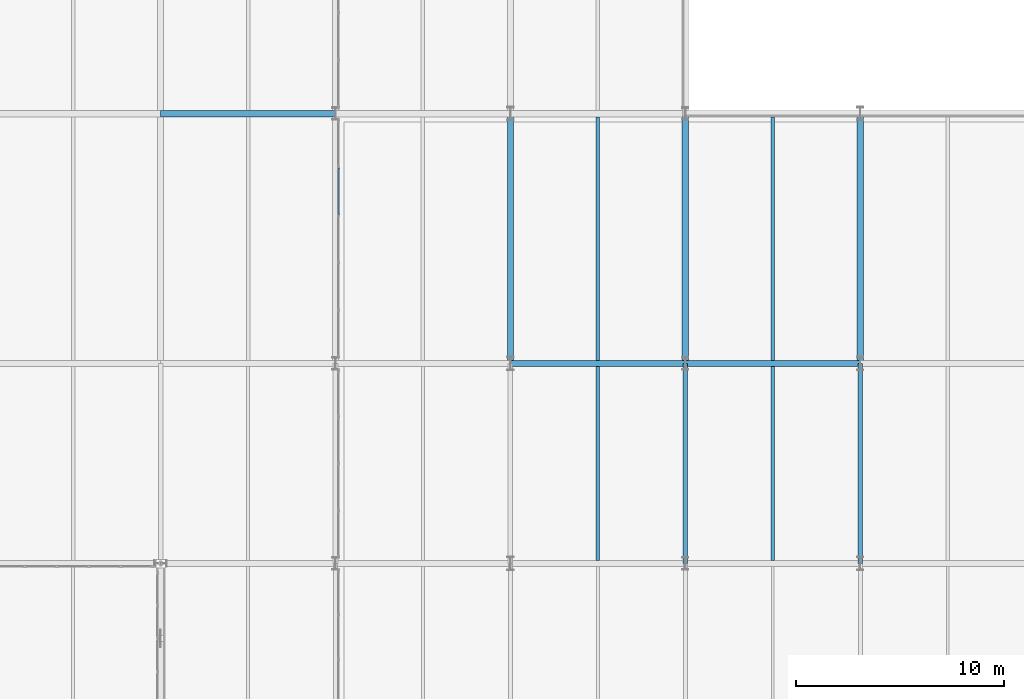
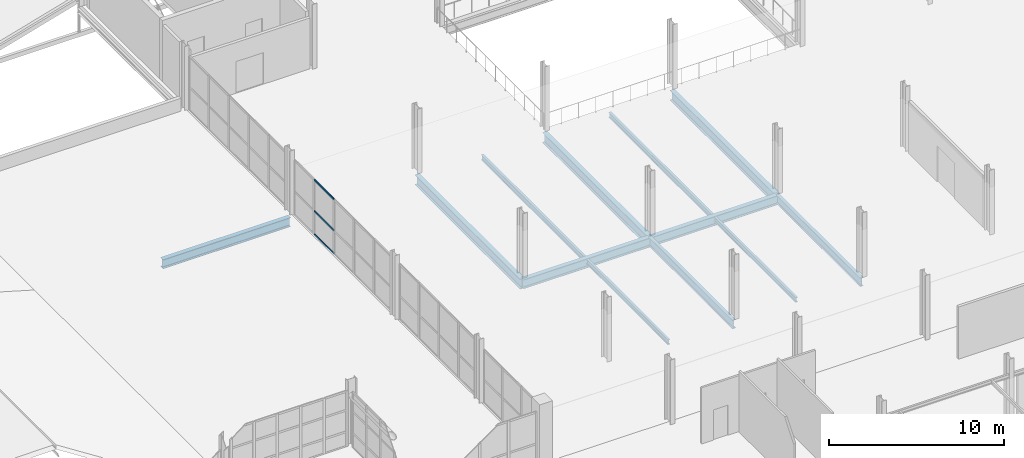
# One storey, part 41 of 130: 12 beams, 3 members, 1 element without a shape of its own.
"""IFC4 building model written with IfcOpenShell, lengths in metres."""

from ifc_helpers import new_model, si_unit, direction, frame, origin, origin_2d, place, context, subcontext, project, spatial, hollow_rectangle, i_section, extrude, material, material_profile, profile_set, type_object, element, aggregate, save


model = new_model("IFC4")

# Units and contexts
model_context = context("Model", 3, precision=1e-05, world=origin(), true_north=direction((0.0, 1.0)))
body_context = subcontext(model_context, "Body", "Model", "MODEL_VIEW")
ifc_project = project(units=[si_unit("LENGTHUNIT", "METRE"), si_unit("AREAUNIT", "SQUARE_METRE"), si_unit("VOLUMEUNIT", "CUBIC_METRE"), si_unit("PLANEANGLEUNIT", "RADIAN"), si_unit("MASSUNIT", "GRAM", prefix="KILO")], contexts=[model_context])

# Site, building, storey
site_placement = place(None, origin())
site = spatial("IfcSite", under=ifc_project, at=site_placement, CompositionType="ELEMENT")
building_placement = place(site_placement, origin())
building = spatial("IfcBuilding", under=site, at=building_placement, Name="Veltarok Museum of Natural Sciences", CompositionType="ELEMENT")
storey_placement = place(building_placement, frame((0.0, 0.0, 12.89990234375)))
storey = spatial("IfcBuildingStorey", under=building, at=storey_placement, Name="L02", CompositionType="ELEMENT", Elevation=12.89990234375)

# Curtain wall, members
ifc_material_1 = material(Name="Low-iron triple insulated glass", Category="glass")
curtain_wall_type = type_object("IfcCurtainWallType", Name="Curtain Wall System CW-V2W-L02-1-1140x383 (CW-V2W L02 1140x383cm)", PredefinedType="NOTDEFINED", material=ifc_material_1)
curtain_wall_placement = place(storey_placement, origin())
curtain_wall = element("IfcCurtainWall", 1, at=curtain_wall_placement, inside=storey, type_object=curtain_wall_type, Name="Curtain Wall CW-V2W-L02-1-1140x383 CW-0141", PredefinedType="NOTDEFINED")
ifc_material_2 = material(Name="Thermally broken anodised aluminium", Category="aluminium")
ifc_material_profile_1 = material_profile(ifc_material_2, hollow_rectangle(XDim=0.06005859375, YDim=0.1201171875, WallThickness=0.0048828125, at=origin_2d()), Name="CW TRANSOM 60x120x5")
ifc_profile_set_1 = profile_set([ifc_material_profile_1], Name="Thermally broken anodised aluminium")
member_type = type_object("IfcMemberType", Name="Curtain Wall Horizontal Transom 60x120x5", PredefinedType="USERDEFINED", material=ifc_profile_set_1)
member_1_placement = place(storey_placement, frame((40.14990234375, 43.169921875, 0.028076171875), z_axis=(0.0, 1.0, 0.0), x_axis=(-1.0, 0.0, 0.0)))
member_1 = element("IfcMember", 2, at=member_1_placement, type_object=member_type, Name="CW-V2W-L02-1-1140x383 transom 4.1", ObjectType="TRANSOM", PredefinedType="USERDEFINED", context=body_context, shape_type="SweptSolid", body=[
    extrude(hollow_rectangle(XDim=0.06005859375, YDim=0.1201171875, WallThickness=0.0048828125, at=origin_2d()), origin(), (0.0, 0.0, 1.0), 2.219970703125),
])
member_2_placement = place(storey_placement, frame((40.14990234375, 43.169921875, 1.648193359375), z_axis=(0.0, 1.0, 0.0), x_axis=(-1.0, 0.0, 0.0)))
member_2 = element("IfcMember", 3, at=member_2_placement, type_object=member_type, Name="CW-V2W-L02-1-1140x383 transom 4.2", ObjectType="TRANSOM", PredefinedType="USERDEFINED", context=body_context, shape_type="SweptSolid", body=[
    extrude(hollow_rectangle(XDim=0.06005859375, YDim=0.1201171875, WallThickness=0.0048828125, at=origin_2d()), origin(), (0.0, 0.0, 1.0), 2.219970703125),
])
member_3_placement = place(storey_placement, frame((40.14990234375, 43.169921875, 3.800048828125), z_axis=(0.0, 1.0, 0.0), x_axis=(-1.0, 0.0, 0.0)))
member_3 = element("IfcMember", 4, at=member_3_placement, type_object=member_type, Name="CW-V2W-L02-1-1140x383 transom 4.3", ObjectType="TRANSOM", PredefinedType="USERDEFINED", context=body_context, shape_type="SweptSolid", body=[
    extrude(hollow_rectangle(XDim=0.06005859375, YDim=0.1201171875, WallThickness=0.0048828125, at=origin_2d()), origin(), (0.0, 0.0, 1.0), 2.219970703125),
])
aggregate(curtain_wall, [member_1, member_2, member_3])

# Beams
ifc_material_3 = material(Name="Steel S355J2", Category="steel")
ifc_material_profile_2 = material_profile(ifc_material_3, i_section(OverallWidth=0.300048828125, OverallDepth=0.639892578125, WebThickness=0.013427734375, FlangeThickness=0.02587890625, FilletRadius=0.027099609375, at=origin_2d()), Name="HEA 650")
ifc_profile_set_2 = profile_set([ifc_material_profile_2], Name="Steel S355J2")
beam_type_1 = type_object("IfcBeamType", Name="Heavy Exhibition Girder HEA 650", PredefinedType="BEAM", material=ifc_profile_set_2)
beam_placement = place(storey_placement, frame((48.39990234375, 36.0, -0.56982421875), z_axis=(1.0, 0.0, 0.0), x_axis=(0.0, 1.0, 0.0)))
element("IfcBeam", 5, at=beam_placement, inside=storey, type_object=beam_type_1, Name="Beam BM-G08 L02 6-7/E", PredefinedType="BEAM", context=body_context, shape_type="SweptSolid", body=[
    extrude(i_section(OverallWidth=0.300048828125, OverallDepth=0.639892578125, WebThickness=0.013427734375, FlangeThickness=0.02587890625, FilletRadius=0.027099609375, at=origin_2d()), origin(), (0.0, 0.0, 1.0), 8.400146484375),
])
for number, where, z_axis, x_axis, name in (
    (6, (56.800048828125, 36.0, -0.56982421875), (1.0, 0.0, 0.0), (0.0, 1.0, 0.0), "Beam BM-G08 L02 7-8/E"),
    (7, (31.60009765625, 48.0, -0.56982421875), (1.0, 0.0, 0.0), (0.0, 1.0, 0.0), "Beam BM-G08 L02 4-5/F"),
):
    element("IfcBeam", number, at=place(storey_placement, frame(where, z_axis=z_axis, x_axis=x_axis)), inside=storey, type_object=beam_type_1, Name=name, PredefinedType="BEAM", context=body_context, shape_type="SweptSolid", body=[
        extrude(i_section(OverallWidth=0.300048828125, OverallDepth=0.639892578125, WebThickness=0.013427734375, FlangeThickness=0.02587890625, FilletRadius=0.027099609375, at=origin_2d()), origin(), (0.0, 0.0, 1.0), 8.39990234375),
    ])
ifc_material_profile_3 = material_profile(ifc_material_3, i_section(OverallWidth=0.169921875, OverallDepth=0.360107421875, WebThickness=0.008056640625, FlangeThickness=0.0126953125, FilletRadius=0.01806640625, at=origin_2d()), Name="IPE 360")
ifc_profile_set_3 = profile_set([ifc_material_profile_3], Name="Steel S355J2")
beam_type_2 = type_object("IfcBeamType", Name="Long-Bay Composite Joist IPE 360", PredefinedType="JOIST", material=ifc_profile_set_3)
for number, where, z_axis, x_axis, name in (
    (8, (52.60009765625, 36.14794921875, -0.429931640625), (0.0, 1.0, 0.0), (-1.0, 0.0, 0.0), "Secondary Joist BM-J01 L02 6-7/E-F.1"),
    (9, (61.0, 36.14794921875, -0.429931640625), (0.0, 1.0, 0.0), (-1.0, 0.0, 0.0), "Secondary Joist BM-J01 L02 7-8/E-F.1"),
):
    element("IfcBeam", number, at=place(storey_placement, frame(where, z_axis=z_axis, x_axis=x_axis)), inside=storey, type_object=beam_type_2, Name=name, PredefinedType="JOIST", context=body_context, shape_type="SweptSolid", body=[
        extrude(i_section(OverallWidth=0.169921875, OverallDepth=0.360107421875, WebThickness=0.008056640625, FlangeThickness=0.0126953125, FilletRadius=0.01806640625, at=origin_2d()), origin(), (0.0, 0.0, 1.0), 11.7041015625),
    ])
ifc_material_profile_4 = material_profile(ifc_material_3, i_section(OverallWidth=0.300048828125, OverallDepth=0.699951171875, WebThickness=0.01708984375, FlangeThickness=0.031982421875, FilletRadius=0.027099609375, at=origin_2d()), Name="HEB 700")
ifc_profile_set_4 = profile_set([ifc_material_profile_4], Name="Steel S355J2")
beam_type_3 = type_object("IfcBeamType", Name="Long-Span Hall Girder HEB 700", PredefinedType="BEAM", material=ifc_profile_set_4)
for number, where, z_axis, x_axis, name in (
    (10, (48.39990234375, 36.0, -0.599853515625), (0.0, 1.0, 0.0), (-1.0, 0.0, 0.0), "Beam BM-G01 L02 6/E-F"),
    (11, (56.800048828125, 36.0, -0.599853515625), (0.0, 1.0, 0.0), (-1.0, 0.0, 0.0), "Beam BM-G01 L02 7/E-F"),
    (12, (65.199951171875, 36.0, -0.599853515625), (0.0, 1.0, 0.0), (-1.0, 0.0, 0.0), "Beam BM-G01 L02 8/E-F"),
):
    element("IfcBeam", number, at=place(storey_placement, frame(where, z_axis=z_axis, x_axis=x_axis)), inside=storey, type_object=beam_type_3, Name=name, PredefinedType="BEAM", context=body_context, shape_type="SweptSolid", body=[
        extrude(i_section(OverallWidth=0.300048828125, OverallDepth=0.699951171875, WebThickness=0.01708984375, FlangeThickness=0.031982421875, FilletRadius=0.027099609375, at=origin_2d()), origin(), (0.0, 0.0, 1.0), 12.0),
    ])
ifc_material_profile_5 = material_profile(ifc_material_3, i_section(OverallWidth=0.159912109375, OverallDepth=0.330078125, WebThickness=0.007568359375, FlangeThickness=0.011474609375, FilletRadius=0.01806640625, at=origin_2d()), Name="IPE 330")
ifc_profile_set_5 = profile_set([ifc_material_profile_5], Name="Steel S355J2")
beam_type_4 = type_object("IfcBeamType", Name="Medium-Bay Composite Joist IPE 330", PredefinedType="JOIST", material=ifc_profile_set_5)
for number, where, z_axis, x_axis, name in (
    (13, (52.60009765625, 26.548095703125, -0.414794921875), (0.0, 1.0, 0.0), (-1.0, 0.0, 0.0), "Secondary Joist BM-J02 L02 6-7/D-E.1"),
    (14, (61.0, 26.548095703125, -0.414794921875), (0.0, 1.0, 0.0), (-1.0, 0.0, 0.0), "Secondary Joist BM-J02 L02 7-8/D-E.1"),
):
    element("IfcBeam", number, at=place(storey_placement, frame(where, z_axis=z_axis, x_axis=x_axis)), inside=storey, type_object=beam_type_4, Name=name, PredefinedType="JOIST", context=body_context, shape_type="SweptSolid", body=[
        extrude(i_section(OverallWidth=0.159912109375, OverallDepth=0.330078125, WebThickness=0.007568359375, FlangeThickness=0.011474609375, FilletRadius=0.01806640625, at=origin_2d()), origin(), (0.0, 0.0, 1.0), 9.303955078125),
    ])
ifc_material_profile_6 = material_profile(ifc_material_3, i_section(OverallWidth=0.219970703125, OverallDepth=0.60009765625, WebThickness=0.011962890625, FlangeThickness=0.01904296875, FilletRadius=0.02392578125, at=origin_2d()), Name="IPE 600")
ifc_profile_set_6 = profile_set([ifc_material_profile_6], Name="Steel S355J2")
beam_type_5 = type_object("IfcBeamType", Name="Primary Museum Girder IPE 600", PredefinedType="BEAM", material=ifc_profile_set_6)
for number, where, z_axis, x_axis, name in (
    (15, (56.800048828125, 26.39990234375, -0.5498046875), (0.0, 1.0, 0.0), (-1.0, 0.0, 0.0), "Beam BM-G02 L02 7/D-E"),
    (16, (65.199951171875, 26.39990234375, -0.5498046875), (0.0, 1.0, 0.0), (-1.0, 0.0, 0.0), "Beam BM-G02 L02 8/D-E"),
):
    element("IfcBeam", number, at=place(storey_placement, frame(where, z_axis=z_axis, x_axis=x_axis)), inside=storey, type_object=beam_type_5, Name=name, PredefinedType="BEAM", context=body_context, shape_type="SweptSolid", body=[
        extrude(i_section(OverallWidth=0.219970703125, OverallDepth=0.60009765625, WebThickness=0.011962890625, FlangeThickness=0.01904296875, FilletRadius=0.02392578125, at=origin_2d()), origin(), (0.0, 0.0, 1.0), 9.60009765625),
    ])

save(model, "model.ifc")
